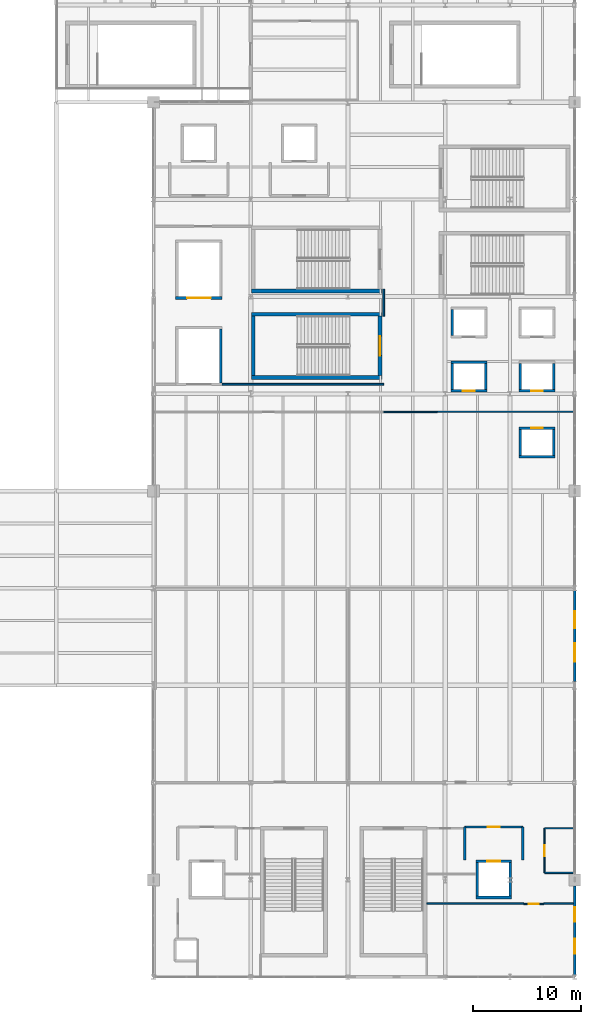
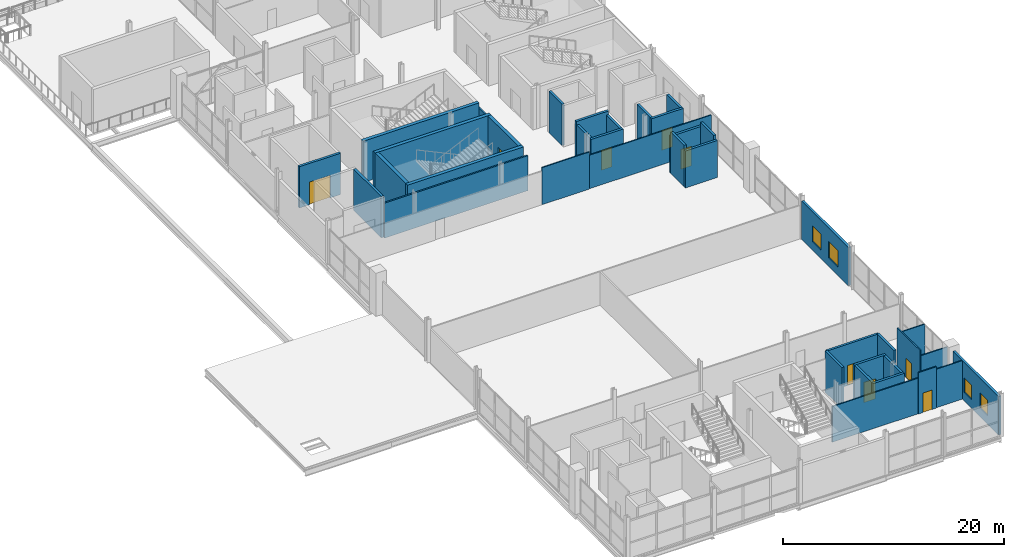
# One storey, part 40 of 50: 38 walls, 9 doors, 4 windows, 13 openings.
"""IFC4 building model written with IfcOpenShell, lengths in metres."""

from ifc_helpers import new_model, si_unit, direction, frame, frame_2d, origin, place, context, subcontext, project, spatial, rectangle, extrude, material, layer, layer_set, type_object, element, fill, save


model = new_model("IFC4")

# Units and contexts
model_context = context("Model", 3, precision=1e-05, world=origin(), true_north=direction((0.0, 1.0)))
body_context = subcontext(model_context, "Body", "Model", "MODEL_VIEW")
ifc_project = project(units=[si_unit("LENGTHUNIT", "METRE"), si_unit("AREAUNIT", "SQUARE_METRE"), si_unit("VOLUMEUNIT", "CUBIC_METRE"), si_unit("PLANEANGLEUNIT", "RADIAN"), si_unit("MASSUNIT", "GRAM", prefix="KILO")], contexts=[model_context])

# Site, building, storey
site_placement = place(None, origin())
site = spatial("IfcSite", under=ifc_project, at=site_placement, CompositionType="ELEMENT")
building_placement = place(site_placement, origin())
building = spatial("IfcBuilding", under=site, at=building_placement, Name="Qamarlyn Nura Convention Centre", CompositionType="ELEMENT")
storey_placement = place(building_placement, frame((0.0, 0.0, 20.39990234375)))
storey = spatial("IfcBuildingStorey", under=building, at=storey_placement, Name="L04", CompositionType="ELEMENT", Elevation=20.39990234375)

# Wall, opening, door
ifc_material_1 = material(Name="Fire-rated acoustic gypsum board and mineral wool EI 120")
ifc_layer_1 = layer(ifc_material_1, 0.219970703125, Name="WT-COMP-220")
ifc_layer_set_1 = layer_set([ifc_layer_1], Name="Fire-rated acoustic gypsum board and mineral wool EI 120")
wall_type_1 = type_object("IfcWallType", Name="WT-COMP-220", PredefinedType="SOLIDWALL", material=ifc_layer_set_1)
wall_1_placement = place(storey_placement, frame((181.800048828125, 13.89990234375, 0.0), z_axis=(0.0, 0.0, 1.0), x_axis=(1.0, 0.0, 0.0)))
wall_1 = element("IfcWall", 1, at=wall_1_placement, inside=storey, type_object=wall_type_1, Name="L04 firefighting lobby barrier wall FFL-02-OPP", PredefinedType="SOLIDWALL", context=body_context, shape_type="SweptSolid", body=[
    extrude(rectangle(XDim=5.39990234375, YDim=0.219970703125, at=frame_2d((2.699951171875, 0.0))), origin(), (0.0, 0.0, 1.0), 4.56005859375),
])
opening_1_placement = place(wall_1_placement, frame((2.139892578125, 0.0, 0.0)))
opening_1 = element("IfcOpeningElement", 2, at=opening_1_placement, cuts=wall_1, Name="Opening DF-115", PredefinedType="OPENING", context=body_context, shape_type="SweptSolid", body=[
    extrude(rectangle(XDim=1.1201171875, YDim=2.199951171875, at=frame_2d((0.56005859375, 1.10009765625))), frame((0.0, 0.1201171875, 0.0), z_axis=(0.0, -1.0, 0.0), x_axis=(1.0, 0.0, 0.0)), (0.0, 0.0, 1.0), 0.239990234375),
])
ifc_material_2 = material(Name="Galvanised fire-rated hollow steel door", Category="steel")
door_type_1 = type_object("IfcDoorType", Name="DR-FFL-1120", OperationType="NOTDEFINED", PredefinedType="DOOR", material=ifc_material_2)
door_1_placement = place(opening_1_placement, origin())
door_1 = element("IfcDoor", 3, at=door_1_placement, inside=storey, type_object=door_type_1, Name="L04 firefighting lobby door FFL-02 (DF-115)", OperationType="SINGLE_SWING_LEFT", OverallHeight=2.199951171875, OverallWidth=1.1201171875, PredefinedType="DOOR", context=body_context, shape_type="SweptSolid", body=[
    extrude(rectangle(XDim=1.1201171875, YDim=2.199951171875, at=frame_2d((0.56005859375, 1.10009765625))), frame((0.0, 0.02490234375, 0.0), z_axis=(0.0, -1.0, 0.0), x_axis=(1.0, 0.0, 0.0)), (0.0, 0.0, 1.0), 0.050048828125),
])
fill(opening_1, door_1)

# Walls
for number, where, z_axis, x_axis, name in (
    (4, (181.800048828125, 10.85009765625, 0.0), (0.0, 0.0, 1.0), (0.0, 1.0, 0.0), "L04 firefighting lobby barrier wall FFL-02-W"),
    (5, (187.199951171875, 10.85009765625, 0.0), (0.0, 0.0, 1.0), (0.0, 1.0, 0.0), "L04 firefighting lobby barrier wall FFL-02-E"),
):
    element("IfcWall", number, at=place(storey_placement, frame(where, z_axis=z_axis, x_axis=x_axis)), inside=storey, type_object=wall_type_1, Name=name, PredefinedType="SOLIDWALL", context=body_context, shape_type="SweptSolid", body=[
        extrude(rectangle(XDim=3.0498046875, YDim=0.219970703125, at=frame_2d((1.52490234375, 0.0))), origin(), (0.0, 0.0, 1.0), 4.56005859375),
    ])
ifc_material_3 = material(Name="Concrete C50/60", Category="concrete")
ifc_layer_2 = layer(ifc_material_3, 0.35009765625, Name="WT-CORE-350")
ifc_layer_set_2 = layer_set([ifc_layer_2], Name="Concrete C50/60")
wall_type_2 = type_object("IfcWallType", Name="WT-CORE-350", PredefinedType="SHEAR", material=ifc_layer_set_2)
for number, where, z_axis, x_axis, name in (
    (6, (162.050048828125, 55.52490234375, 0.0), (0.0, 0.0, 1.0), (1.0, 0.0, 0.0), "L04 stair core shear wall ST-11-S"),
    (7, (174.14990234375, 61.375, 0.0), (0.0, 0.0, 1.0), (-1.0, 0.0, 0.0), "L04 stair core shear wall ST-11-N"),
):
    element("IfcWall", number, at=place(storey_placement, frame(where, z_axis=z_axis, x_axis=x_axis)), inside=storey, type_object=wall_type_2, Name=name, PredefinedType="SHEAR", context=body_context, shape_type="SweptSolid", body=[
        extrude(rectangle(XDim=12.099853515625, YDim=0.35009765625, at=frame_2d((6.0498046875, 0.0))), origin(), (0.0, 0.0, 1.0), 4.56005859375),
    ])
wall_2_placement = place(storey_placement, frame((162.22509765625, 61.199951171875, 0.0), z_axis=(0.0, 0.0, 1.0), x_axis=(0.0, -1.0, 0.0)))
element("IfcWall", 8, at=wall_2_placement, inside=storey, type_object=wall_type_2, Name="L04 stair core shear wall ST-11-W", PredefinedType="SHEAR", context=body_context, shape_type="SweptSolid", body=[
    extrude(rectangle(XDim=5.5, YDim=0.35009765625, at=frame_2d((2.75, 0.0))), origin(), (0.0, 0.0, 1.0), 4.56005859375),
])

# Wall, opening, door
wall_3_placement = place(storey_placement, frame((173.97509765625, 55.699951171875, 0.0), z_axis=(0.0, 0.0, 1.0), x_axis=(0.0, 1.0, 0.0)))
wall_3 = element("IfcWall", 9, at=wall_3_placement, inside=storey, type_object=wall_type_2, Name="L04 stair core shear wall ST-11-E", PredefinedType="SHEAR", context=body_context, shape_type="SweptSolid", body=[
    extrude(rectangle(XDim=5.5, YDim=0.35009765625, at=frame_2d((2.75, 0.0))), origin(), (0.0, 0.0, 1.0), 4.56005859375),
])
opening_2_placement = place(wall_3_placement, frame((1.85009765625, 0.0, 0.0)))
opening_2 = element("IfcOpeningElement", 10, at=opening_2_placement, cuts=wall_3, Name="Opening DS-048", PredefinedType="OPENING", context=body_context, shape_type="SweptSolid", body=[
    extrude(rectangle(XDim=1.800048828125, YDim=2.199951171875, at=frame_2d((0.89990234375, 1.10009765625))), frame((0.0, 0.18505859375, 0.0), z_axis=(0.0, -1.0, 0.0), x_axis=(1.0, 0.0, 0.0)), (0.0, 0.0, 1.0), 0.3701171875),
])
door_type_2 = type_object("IfcDoorType", Name="DR-STAIR-1800", OperationType="DOUBLE_DOOR_SINGLE_SWING", PredefinedType="DOOR", material=ifc_material_2)
door_2_placement = place(opening_2_placement, origin())
door_2 = element("IfcDoor", 11, at=door_2_placement, inside=storey, type_object=door_type_2, Name="L04 exit stair door ST-11 (DS-048)", OperationType="DOUBLE_DOOR_SINGLE_SWING", OverallHeight=2.199951171875, OverallWidth=1.800048828125, PredefinedType="DOOR", context=body_context, shape_type="SweptSolid", body=[
    extrude(rectangle(XDim=1.800048828125, YDim=2.199951171875, at=frame_2d((0.89990234375, 1.10009765625))), frame((0.0, 0.02490234375, 0.0), z_axis=(0.0, -1.0, 0.0), x_axis=(1.0, 0.0, 0.0)), (0.0, 0.0, 1.0), 0.050048828125),
])
fill(opening_2, door_2)

# Wall
wall_4_placement = place(storey_placement, frame((162.050048828125, 63.52490234375, 0.0), z_axis=(0.0, 0.0, 1.0), x_axis=(1.0, 0.0, 0.0)))
element("IfcWall", 12, at=wall_4_placement, inside=storey, type_object=wall_type_2, Name="L04 stair core shear wall ST-12-S", PredefinedType="SHEAR", context=body_context, shape_type="SweptSolid", body=[
    extrude(rectangle(XDim=12.099853515625, YDim=0.35009765625, at=frame_2d((6.0498046875, 0.0))), origin(), (0.0, 0.0, 1.0), 4.56005859375),
])

# Wall, openings, windows
ifc_material_4 = material(Name="Concrete C40/50", Category="concrete")
ifc_layer_3 = layer(ifc_material_4, 0.260009765625, Name="WT-EXT-260")
ifc_layer_set_3 = layer_set([ifc_layer_3], Name="Concrete C40/50")
wall_type_3 = type_object("IfcWallType", Name="WT-EXT-260", PredefinedType="SOLIDWALL", material=ifc_layer_set_3)
wall_5_placement = place(storey_placement, frame((192.0, 8.449951171875, 0.0), z_axis=(0.0, 0.0, 1.0), x_axis=(0.0, -1.0, 0.0)))
wall_5 = element("IfcWall", 13, at=wall_5_placement, inside=storey, type_object=wall_type_3, Name="L04 exterior facade wall WEXT-L04-1920-84-1920-2", PredefinedType="SOLIDWALL", context=body_context, shape_type="SweptSolid", body=[
    extrude(rectangle(XDim=8.237548828125, YDim=0.260009765625, at=frame_2d((4.11865234375, 0.0))), origin(), (0.0, 0.0, 1.0), 4.2451171875),
])
opening_3_placement = place(wall_5_placement, frame((1.984375, 0.0, 0.949951171875)))
opening_3 = element("IfcOpeningElement", 14, at=opening_3_placement, cuts=wall_5, Name="Opening WN24", PredefinedType="OPENING", context=body_context, shape_type="SweptSolid", body=[
    extrude(rectangle(XDim=1.35009765625, YDim=1.60009765625, at=frame_2d((0.675048828125, 0.800048828125))), frame((0.0, 0.14013671875, 0.0), z_axis=(0.0, -1.0, 0.0), x_axis=(1.0, 0.0, 0.0)), (0.0, 0.0, 1.0), 0.280029296875),
])
opening_4_placement = place(wall_5_placement, frame((4.878173828125, 0.0, 0.949951171875)))
opening_4 = element("IfcOpeningElement", 15, at=opening_4_placement, cuts=wall_5, Name="Opening WN01", PredefinedType="OPENING", context=body_context, shape_type="SweptSolid", body=[
    extrude(rectangle(XDim=1.39990234375, YDim=1.699951171875, at=frame_2d((0.699951171875, 0.85009765625))), frame((0.0, 0.14013671875, 0.0), z_axis=(0.0, -1.0, 0.0), x_axis=(1.0, 0.0, 0.0)), (0.0, 0.0, 1.0), 0.280029296875),
])
ifc_material_5 = material(Name="Double-silver low-E insulated glass", Category="glass")
window_type_1 = type_object("IfcWindowType", Name="WIN-SOL-01", PartitioningType="SINGLE_PANEL", PredefinedType="WINDOW", material=ifc_material_5)
window_1_placement = place(opening_4_placement, origin())
window_1 = element("IfcWindow", 16, at=window_1_placement, inside=storey, type_object=window_type_1, Name="L04 solar-control window 049", OverallHeight=1.699951171875, OverallWidth=1.39990234375, PartitioningType="SINGLE_PANEL", PredefinedType="WINDOW", context=body_context, shape_type="SweptSolid", body=[
    extrude(rectangle(XDim=1.39990234375, YDim=1.699951171875, at=frame_2d((0.699951171875, 0.85009765625))), frame((0.0, 0.030029296875, 0.0), z_axis=(0.0, -1.0, 0.0), x_axis=(1.0, 0.0, 0.0)), (0.0, 0.0, 1.0), 0.06005859375),
])
fill(opening_4, window_1)
window_type_2 = type_object("IfcWindowType", Name="WIN-SOL-24", PartitioningType="SINGLE_PANEL", PredefinedType="WINDOW", material=ifc_material_5)
window_2_placement = place(opening_3_placement, origin())
window_2 = element("IfcWindow", 17, at=window_2_placement, inside=storey, type_object=window_type_2, Name="L04 solar-control window 048", OverallHeight=1.60009765625, OverallWidth=1.35009765625, PartitioningType="SINGLE_PANEL", PredefinedType="WINDOW", context=body_context, shape_type="SweptSolid", body=[
    extrude(rectangle(XDim=1.35009765625, YDim=1.60009765625, at=frame_2d((0.675048828125, 0.800048828125))), frame((0.0, 0.030029296875, 0.0), z_axis=(0.0, -1.0, 0.0), x_axis=(1.0, 0.0, 0.0)), (0.0, 0.0, 1.0), 0.06005859375),
])
fill(opening_3, window_2)

wall_6_placement = place(storey_placement, frame((192.0, 35.78759765625, 0.0), z_axis=(0.0, 0.0, 1.0), x_axis=(0.0, -1.0, 0.0)))
wall_6 = element("IfcWall", 18, at=wall_6_placement, inside=storey, type_object=wall_type_3, Name="L04 exterior facade wall WEXT-L04-1920-358-1920-273", PredefinedType="SOLIDWALL", context=body_context, shape_type="SweptSolid", body=[
    extrude(rectangle(XDim=8.440185546875, YDim=0.260009765625, at=frame_2d((4.22021484375, 0.0))), origin(), (0.0, 0.0, 1.0), 4.2451171875),
])
opening_5_placement = place(wall_6_placement, frame((1.93505859375, 0.0, 0.949951171875)))
opening_5 = element("IfcOpeningElement", 19, at=opening_5_placement, cuts=wall_6, Name="Opening WN02", PredefinedType="OPENING", context=body_context, shape_type="SweptSolid", body=[
    extrude(rectangle(XDim=1.550048828125, YDim=1.75, at=frame_2d((0.77490234375, 0.875))), frame((0.0, 0.14013671875, 0.0), z_axis=(0.0, -1.0, 0.0), x_axis=(1.0, 0.0, 0.0)), (0.0, 0.0, 1.0), 0.280029296875),
])
opening_6_placement = place(wall_6_placement, frame((4.8798828125, 0.0, 0.949951171875)))
opening_6 = element("IfcOpeningElement", 20, at=opening_6_placement, cuts=wall_6, Name="Opening WN03", PredefinedType="OPENING", context=body_context, shape_type="SweptSolid", body=[
    extrude(rectangle(XDim=1.699951171875, YDim=1.800048828125, at=frame_2d((0.85009765625, 0.89990234375))), frame((0.0, 0.14013671875, 0.0), z_axis=(0.0, -1.0, 0.0), x_axis=(1.0, 0.0, 0.0)), (0.0, 0.0, 1.0), 0.280029296875),
])
window_type_3 = type_object("IfcWindowType", Name="WIN-SOL-02", PartitioningType="SINGLE_PANEL", PredefinedType="WINDOW", material=ifc_material_5)
window_3_placement = place(opening_5_placement, origin())
window_3 = element("IfcWindow", 21, at=window_3_placement, inside=storey, type_object=window_type_3, Name="L04 solar-control window 050", OverallHeight=1.75, OverallWidth=1.550048828125, PartitioningType="SINGLE_PANEL", PredefinedType="WINDOW", context=body_context, shape_type="SweptSolid", body=[
    extrude(rectangle(XDim=1.550048828125, YDim=1.75, at=frame_2d((0.77490234375, 0.875))), frame((0.0, 0.030029296875, 0.0), z_axis=(0.0, -1.0, 0.0), x_axis=(1.0, 0.0, 0.0)), (0.0, 0.0, 1.0), 0.06005859375),
])
fill(opening_5, window_3)
window_type_4 = type_object("IfcWindowType", Name="WIN-SOL-03", PartitioningType="SINGLE_PANEL", PredefinedType="WINDOW", material=ifc_material_5)
window_4_placement = place(opening_6_placement, origin())
window_4 = element("IfcWindow", 22, at=window_4_placement, inside=storey, type_object=window_type_4, Name="L04 solar-control window 051", OverallHeight=1.800048828125, OverallWidth=1.699951171875, PartitioningType="SINGLE_PANEL", PredefinedType="WINDOW", context=body_context, shape_type="SweptSolid", body=[
    extrude(rectangle(XDim=1.699951171875, YDim=1.800048828125, at=frame_2d((0.85009765625, 0.89990234375))), frame((0.0, 0.030029296875, 0.0), z_axis=(0.0, -1.0, 0.0), x_axis=(1.0, 0.0, 0.0)), (0.0, 0.0, 1.0), 0.06005859375),
])
fill(opening_6, window_4)

# Walls
ifc_material_6 = material(Name="Acoustic double-stud gypsum partition")
ifc_layer_4 = layer(ifc_material_6, 0.1201171875, Name="WT-PART-120")
ifc_layer_set_4 = layer_set([ifc_layer_4], Name="Acoustic double-stud gypsum partition")
wall_type_4 = type_object("IfcWallType", Name="WT-PART-120", PredefinedType="PARTITIONING", material=ifc_layer_set_4)
for number, where, z_axis, x_axis, name in (
    (23, (189.199951171875, 13.77490234375, 0.0), (0.0, 0.0, 1.0), (1.0, 0.0, 0.0), "L04 interior partition L04-WC-A-L04-1-1"),
    (24, (191.988037109375, 9.64990234375, 0.0), (0.0, 0.0, 1.0), (-1.0, 0.0, 0.0), "L04 interior partition L04-WC-A-L04-3-1"),
):
    element("IfcWall", number, at=place(storey_placement, frame(where, z_axis=z_axis, x_axis=x_axis)), inside=storey, type_object=wall_type_4, Name=name, PredefinedType="PARTITIONING", context=body_context, shape_type="SweptSolid", body=[
        extrude(rectangle(XDim=2.7880859375, YDim=0.1201171875, at=frame_2d((1.39404296875, 0.0))), origin(), (0.0, 0.0, 1.0), 4.006103515625),
    ])

# Wall, opening, door
wall_7_placement = place(storey_placement, frame((189.199951171875, 9.64990234375, 0.0), z_axis=(0.0, 0.0, 1.0), x_axis=(0.0, 1.0, 0.0)))
wall_7 = element("IfcWall", 25, at=wall_7_placement, inside=storey, type_object=wall_type_4, Name="L04 interior partition L04-WC-A-L04-4-1", PredefinedType="PARTITIONING", context=body_context, shape_type="SweptSolid", body=[
    extrude(rectangle(XDim=4.125, YDim=0.1201171875, at=frame_2d((2.0625, 0.0))), origin(), (0.0, 0.0, 1.0), 4.56005859375),
])
opening_7_placement = place(wall_7_placement, frame((1.552490234375, 0.0, 0.0)))
opening_7 = element("IfcOpeningElement", 26, at=opening_7_placement, cuts=wall_7, Name="Opening D-L04-206", PredefinedType="OPENING", context=body_context, shape_type="SweptSolid", body=[
    extrude(rectangle(XDim=1.02001953125, YDim=2.159912109375, at=frame_2d((0.510009765625, 1.080078125))), frame((0.0, 0.070068359375, 0.0), z_axis=(0.0, -1.0, 0.0), x_axis=(1.0, 0.0, 0.0)), (0.0, 0.0, 1.0), 0.14013671875),
])
ifc_material_7 = material(Name="Acoustic walnut timber leaf", Category="wood")
door_type_3 = type_object("IfcDoorType", Name="DR-WC-ACC-102", OperationType="NOTDEFINED", PredefinedType="DOOR", material=ifc_material_7)
door_3_placement = place(opening_7_placement, origin())
door_3 = element("IfcDoor", 27, at=door_3_placement, inside=storey, type_object=door_type_3, Name="L04 Accessible WC L04 door D-L04-206", OperationType="SINGLE_SWING_RIGHT", OverallHeight=2.159912109375, OverallWidth=1.02001953125, PredefinedType="DOOR", context=body_context, shape_type="SweptSolid", body=[
    extrude(rectangle(XDim=1.02001953125, YDim=2.159912109375, at=frame_2d((0.510009765625, 1.080078125))), frame((0.0, 0.02490234375, 0.0), z_axis=(0.0, -1.0, 0.0), x_axis=(1.0, 0.0, 0.0)), (0.0, 0.0, 1.0), 0.050048828125),
])
fill(opening_7, door_3)

# Wall
wall_8_placement = place(storey_placement, frame((178.300048828125, 6.800048828125, 0.0), z_axis=(0.0, 0.0, 1.0), x_axis=(1.0, 0.0, 0.0)))
element("IfcWall", 28, at=wall_8_placement, inside=storey, type_object=wall_type_4, Name="L04 interior partition L04-BRD-402-5-1", PredefinedType="PARTITIONING", context=body_context, shape_type="SweptSolid", body=[
    extrude(rectangle(XDim=8.969970703125, YDim=0.1201171875, at=frame_2d((4.48486328125, 0.0))), origin(), (0.0, 0.0, 1.0), 3.93408203125),
])

# Wall, opening, door
wall_9_placement = place(storey_placement, frame((187.27001953125, 6.760009765625, 0.0), z_axis=(0.0, 0.0, 1.0), x_axis=(1.0, 0.0, 0.0)))
wall_9 = element("IfcWall", 29, at=wall_9_placement, inside=storey, type_object=wall_type_4, Name="L04 interior partition L04-BRD-402-22-1", PredefinedType="PARTITIONING", context=body_context, shape_type="SweptSolid", body=[
    extrude(rectangle(XDim=1.8798828125, YDim=0.1201171875, at=frame_2d((0.93994140625, 0.0))), origin(), (0.0, 0.0, 1.0), 4.56005859375),
])
opening_8_placement = place(wall_9_placement, frame((0.4599609375, 0.0, 0.0)))
opening_8 = element("IfcOpeningElement", 30, at=opening_8_placement, cuts=wall_9, Name="Opening D-L04-209", PredefinedType="OPENING", context=body_context, shape_type="SweptSolid", body=[
    extrude(rectangle(XDim=0.9599609375, YDim=2.14990234375, at=frame_2d((0.47998046875, 1.074951171875))), frame((0.0, 0.070068359375, 0.0), z_axis=(0.0, -1.0, 0.0), x_axis=(1.0, 0.0, 0.0)), (0.0, 0.0, 1.0), 0.14013671875),
])
door_type_4 = type_object("IfcDoorType", Name="DR-ROOM-0960", OperationType="NOTDEFINED", PredefinedType="DOOR", material=ifc_material_7)
door_4_placement = place(opening_8_placement, origin())
door_4 = element("IfcDoor", 31, at=door_4_placement, inside=storey, type_object=door_type_4, Name="L04 Executive Boardroom 402 door D-L04-209", OperationType="SINGLE_SWING_LEFT", OverallHeight=2.14990234375, OverallWidth=0.9599609375, PredefinedType="DOOR", context=body_context, shape_type="SweptSolid", body=[
    extrude(rectangle(XDim=0.9599609375, YDim=2.14990234375, at=frame_2d((0.47998046875, 1.074951171875))), frame((0.0, 0.02490234375, 0.0), z_axis=(0.0, -1.0, 0.0), x_axis=(1.0, 0.0, 0.0)), (0.0, 0.0, 1.0), 0.050048828125),
])
fill(opening_8, door_4)

# Walls
wall_10_placement = place(storey_placement, frame((189.14990234375, 6.800048828125, 0.0), z_axis=(0.0, 0.0, 1.0), x_axis=(1.0, 0.0, 0.0)))
element("IfcWall", 32, at=wall_10_placement, inside=storey, type_object=wall_type_4, Name="L04 interior partition L04-BRD-402-39-1", PredefinedType="PARTITIONING", context=body_context, shape_type="SweptSolid", body=[
    extrude(rectangle(XDim=2.72021484375, YDim=0.1201171875, at=frame_2d((1.360107421875, 0.0))), origin(), (0.0, 0.0, 1.0), 4.2451171875),
])
wall_11_placement = place(storey_placement, frame((174.31005859375, 52.31005859375, 0.0), z_axis=(0.0, 0.0, 1.0), x_axis=(1.0, 0.0, 0.0)))
element("IfcWall", 33, at=wall_11_placement, inside=storey, type_object=wall_type_4, Name="L04 interior partition L04-PRS-STUD-14-1", PredefinedType="PARTITIONING", context=body_context, shape_type="SweptSolid", body=[
    extrude(rectangle(XDim=4.93994140625, YDim=0.1201171875, at=frame_2d((2.469970703125, 0.0))), origin(), (0.0, 0.0, 1.0), 4.088134765625),
])
wall_12_placement = place(storey_placement, frame((179.25, 52.35009765625, 0.0), z_axis=(0.0, 0.0, 1.0), x_axis=(1.0, 0.0, 0.0)))
element("IfcWall", 34, at=wall_12_placement, inside=storey, type_object=wall_type_4, Name="L04 interior partition L04-PRS-STUD-31-1", PredefinedType="PARTITIONING", context=body_context, shape_type="SweptSolid", body=[
    extrude(rectangle(XDim=12.738037109375, YDim=0.1201171875, at=frame_2d((6.369140625, 0.0))), origin(), (0.0, 0.0, 1.0), 3.690185546875),
])
ifc_material_8 = material(Name="Fire-rated acoustic gypsum board EI 60")
ifc_layer_5 = layer(ifc_material_8, 0.159912109375, Name="WT-PART-160")
ifc_layer_set_5 = layer_set([ifc_layer_5], Name="Fire-rated acoustic gypsum board EI 60")
wall_type_5 = type_object("IfcWallType", Name="WT-PART-160", PredefinedType="PARTITIONING", material=ifc_layer_set_5)
wall_13_placement = place(storey_placement, frame((174.31005859375, 63.699951171875, 0.0), z_axis=(0.0, 0.0, 1.0), x_axis=(0.0, -1.0, 0.0)))
element("IfcWall", 35, at=wall_13_placement, inside=storey, type_object=wall_type_5, Name="L04 interior partition L04-PAN-EXEC-60-2", PredefinedType="PARTITIONING", context=body_context, shape_type="SweptSolid", body=[
    extrude(rectangle(XDim=2.5, YDim=0.159912109375, at=frame_2d((1.25, 0.0))), origin(), (0.0, 0.0, 1.0), 3.85009765625),
])
wall_14_placement = place(storey_placement, frame((174.31005859375, 54.889892578125, 0.0), z_axis=(0.0, 0.0, 1.0), x_axis=(-1.0, 0.0, 0.0)))
element("IfcWall", 36, at=wall_14_placement, inside=storey, type_object=wall_type_5, Name="L04 interior partition L04-PAN-EXEC-61-1", PredefinedType="PARTITIONING", context=body_context, shape_type="SweptSolid", body=[
    extrude(rectangle(XDim=14.9599609375, YDim=0.159912109375, at=frame_2d((7.47998046875, 0.0))), origin(), (0.0, 0.0, 1.0), 3.861083984375),
])
ifc_layer_6 = layer(ifc_material_1, 0.25, Name="WT-SHAFT-250")
ifc_layer_set_6 = layer_set([ifc_layer_6], Name="Fire-rated acoustic gypsum board and mineral wool EI 120")
wall_type_6 = type_object("IfcWallType", Name="WT-SHAFT-250", PredefinedType="SOLIDWALL", material=ifc_layer_set_6)
wall_15_placement = place(storey_placement, frame((182.85009765625, 7.375, 0.0), z_axis=(0.0, 0.0, 1.0), x_axis=(1.0, 0.0, 0.0)))
element("IfcWall", 37, at=wall_15_placement, inside=storey, type_object=wall_type_6, Name="L04 lift shaft enclosure wall FFL-02 -y", PredefinedType="SOLIDWALL", context=body_context, shape_type="SweptSolid", body=[
    extrude(rectangle(XDim=3.2998046875, YDim=0.25, at=frame_2d((1.64990234375, 0.0))), origin(), (0.0, 0.0, 1.0), 4.56005859375),
])

# Wall, opening, door
wall_16_placement = place(storey_placement, frame((186.14990234375, 10.72509765625, 0.0), z_axis=(0.0, 0.0, 1.0), x_axis=(-1.0, 0.0, 0.0)))
wall_16 = element("IfcWall", 38, at=wall_16_placement, inside=storey, type_object=wall_type_6, Name="L04 lift shaft enclosure wall FFL-02 +y", PredefinedType="SOLIDWALL", context=body_context, shape_type="SweptSolid", body=[
    extrude(rectangle(XDim=3.2998046875, YDim=0.25, at=frame_2d((1.64990234375, 0.0))), origin(), (0.0, 0.0, 1.0), 4.56005859375),
])
opening_9_placement = place(wall_16_placement, frame((1.050048828125, 0.0, 0.0)))
opening_9 = element("IfcOpeningElement", 39, at=opening_9_placement, cuts=wall_16, Name="Opening LD-FFL-02-L04", PredefinedType="OPENING", context=body_context, shape_type="SweptSolid", body=[
    extrude(rectangle(XDim=1.199951171875, YDim=2.25, at=frame_2d((0.60009765625, 1.125))), frame((0.0, 0.135009765625, 0.0), z_axis=(0.0, -1.0, 0.0), x_axis=(1.0, 0.0, 0.0)), (0.0, 0.0, 1.0), 0.27001953125),
])
ifc_material_9 = material(Name="Marine Grade 316 stainless steel", Category="steel")
door_type_5 = type_object("IfcDoorType", Name="DR-LD-FFL", OperationType="DOUBLE_DOOR_SLIDING", PredefinedType="DOOR", material=ifc_material_9)
door_5_placement = place(opening_9_placement, origin())
door_5 = element("IfcDoor", 40, at=door_5_placement, inside=storey, type_object=door_type_5, Name="Lift landing door LD-FFL-02-L04", OperationType="DOUBLE_DOOR_SLIDING", OverallHeight=2.25, OverallWidth=1.199951171875, PredefinedType="DOOR", context=body_context, shape_type="SweptSolid", body=[
    extrude(rectangle(XDim=1.199951171875, YDim=2.25, at=frame_2d((0.60009765625, 1.125))), frame((0.0, 0.02490234375, 0.0), z_axis=(0.0, -1.0, 0.0), x_axis=(1.0, 0.0, 0.0)), (0.0, 0.0, 1.0), 0.050048828125),
])
fill(opening_9, door_5)

# Walls
for number, where, z_axis, x_axis, name in (
    (41, (182.97509765625, 10.60009765625, 0.0), (0.0, 0.0, 1.0), (0.0, -1.0, 0.0), "L04 lift shaft enclosure wall FFL-02 -x"),
    (42, (186.02490234375, 7.5, 0.0), (0.0, 0.0, 1.0), (0.0, 1.0, 0.0), "L04 lift shaft enclosure wall FFL-02 +x"),
):
    element("IfcWall", number, at=place(storey_placement, frame(where, z_axis=z_axis, x_axis=x_axis)), inside=storey, type_object=wall_type_6, Name=name, PredefinedType="SOLIDWALL", context=body_context, shape_type="SweptSolid", body=[
        extrude(rectangle(XDim=3.10009765625, YDim=0.25, at=frame_2d((1.550048828125, 0.0))), origin(), (0.0, 0.0, 1.0), 4.56005859375),
    ])
wall_17_placement = place(storey_placement, frame((180.64990234375, 61.800048828125, 0.0), z_axis=(0.0, 0.0, 1.0), x_axis=(0.0, -1.0, 0.0)))
element("IfcWall", 43, at=wall_17_placement, inside=storey, type_object=wall_type_6, Name="L04 lift shaft enclosure wall PL-01 -x", PredefinedType="SOLIDWALL", context=body_context, shape_type="SweptSolid", body=[
    extrude(rectangle(XDim=2.400146484375, YDim=0.25, at=frame_2d((1.2001953125, 0.0))), origin(), (0.0, 0.0, 1.0), 4.56005859375),
])

# Wall, opening, door
wall_18_placement = place(storey_placement, frame((180.52490234375, 54.27490234375, 0.0), z_axis=(0.0, 0.0, 1.0), x_axis=(1.0, 0.0, 0.0)))
wall_18 = element("IfcWall", 44, at=wall_18_placement, inside=storey, type_object=wall_type_6, Name="L04 lift shaft enclosure wall PL-03 -y", PredefinedType="SOLIDWALL", context=body_context, shape_type="SweptSolid", body=[
    extrude(rectangle(XDim=3.35009765625, YDim=0.25, at=frame_2d((1.675048828125, 0.0))), origin(), (0.0, 0.0, 1.0), 3.861083984375),
])
opening_10_placement = place(wall_18_placement, frame((1.125, 0.0, 0.0)))
opening_10 = element("IfcOpeningElement", 45, at=opening_10_placement, cuts=wall_18, Name="Opening LD-PL-03-L04", PredefinedType="OPENING", context=body_context, shape_type="SweptSolid", body=[
    extrude(rectangle(XDim=1.10009765625, YDim=2.199951171875, at=frame_2d((0.550048828125, 1.10009765625))), frame((0.0, 0.135009765625, 0.0), z_axis=(0.0, -1.0, 0.0), x_axis=(1.0, 0.0, 0.0)), (0.0, 0.0, 1.0), 0.27001953125),
])
door_type_6 = type_object("IfcDoorType", Name="DR-LD-PAX", OperationType="DOUBLE_DOOR_SLIDING", PredefinedType="DOOR", material=ifc_material_9)
door_6_placement = place(opening_10_placement, origin())
door_6 = element("IfcDoor", 46, at=door_6_placement, inside=storey, type_object=door_type_6, Name="Lift landing door LD-PL-03-L04", OperationType="DOUBLE_DOOR_SLIDING", OverallHeight=2.199951171875, OverallWidth=1.10009765625, PredefinedType="DOOR", context=body_context, shape_type="SweptSolid", body=[
    extrude(rectangle(XDim=1.10009765625, YDim=2.199951171875, at=frame_2d((0.550048828125, 1.10009765625))), frame((0.0, 0.02490234375, 0.0), z_axis=(0.0, -1.0, 0.0), x_axis=(1.0, 0.0, 0.0)), (0.0, 0.0, 1.0), 0.050048828125),
])
fill(opening_10, door_6)

# Walls
wall_19_placement = place(storey_placement, frame((183.875, 56.925048828125, 0.0), z_axis=(0.0, 0.0, 1.0), x_axis=(-1.0, 0.0, 0.0)))
element("IfcWall", 47, at=wall_19_placement, inside=storey, type_object=wall_type_6, Name="L04 lift shaft enclosure wall PL-03 +y", PredefinedType="SOLIDWALL", context=body_context, shape_type="SweptSolid", body=[
    extrude(rectangle(XDim=3.35009765625, YDim=0.25, at=frame_2d((1.675048828125, 0.0))), origin(), (0.0, 0.0, 1.0), 4.237060546875),
])
for number, where, z_axis, x_axis, name in (
    (48, (180.64990234375, 56.800048828125, 0.0), (0.0, 0.0, 1.0), (0.0, -1.0, 0.0), "L04 lift shaft enclosure wall PL-03 -x"),
    (49, (183.75, 54.39990234375, 0.0), (0.0, 0.0, 1.0), (0.0, 1.0, 0.0), "L04 lift shaft enclosure wall PL-03 +x"),
):
    element("IfcWall", number, at=place(storey_placement, frame(where, z_axis=z_axis, x_axis=x_axis)), inside=storey, type_object=wall_type_6, Name=name, PredefinedType="SOLIDWALL", context=body_context, shape_type="SweptSolid", body=[
        extrude(rectangle(XDim=2.400146484375, YDim=0.25, at=frame_2d((1.2001953125, 0.0))), origin(), (0.0, 0.0, 1.0), 3.861083984375),
    ])

# Wall, opening, door
wall_20_placement = place(storey_placement, frame((186.824951171875, 54.27490234375, 0.0), z_axis=(0.0, 0.0, 1.0), x_axis=(1.0, 0.0, 0.0)))
wall_20 = element("IfcWall", 50, at=wall_20_placement, inside=storey, type_object=wall_type_6, Name="L04 lift shaft enclosure wall PL-04 -y", PredefinedType="SOLIDWALL", context=body_context, shape_type="SweptSolid", body=[
    extrude(rectangle(XDim=3.35009765625, YDim=0.25, at=frame_2d((1.675048828125, 0.0))), origin(), (0.0, 0.0, 1.0), 3.93408203125),
])
opening_11_placement = place(wall_20_placement, frame((1.125, 0.0, 0.0)))
opening_11 = element("IfcOpeningElement", 51, at=opening_11_placement, cuts=wall_20, Name="Opening LD-PL-04-L04", PredefinedType="OPENING", context=body_context, shape_type="SweptSolid", body=[
    extrude(rectangle(XDim=1.10009765625, YDim=2.199951171875, at=frame_2d((0.550048828125, 1.10009765625))), frame((0.0, 0.135009765625, 0.0), z_axis=(0.0, -1.0, 0.0), x_axis=(1.0, 0.0, 0.0)), (0.0, 0.0, 1.0), 0.27001953125),
])
door_7_placement = place(opening_11_placement, origin())
door_7 = element("IfcDoor", 52, at=door_7_placement, inside=storey, type_object=door_type_6, Name="Lift landing door LD-PL-04-L04", OperationType="DOUBLE_DOOR_SLIDING", OverallHeight=2.199951171875, OverallWidth=1.10009765625, PredefinedType="DOOR", context=body_context, shape_type="SweptSolid", body=[
    extrude(rectangle(XDim=1.10009765625, YDim=2.199951171875, at=frame_2d((0.550048828125, 1.10009765625))), frame((0.0, 0.02490234375, 0.0), z_axis=(0.0, -1.0, 0.0), x_axis=(1.0, 0.0, 0.0)), (0.0, 0.0, 1.0), 0.050048828125),
])
fill(opening_11, door_7)

# Walls
for number, where, z_axis, x_axis, name in (
    (53, (186.949951171875, 56.800048828125, 0.0), (0.0, 0.0, 1.0), (0.0, -1.0, 0.0), "L04 lift shaft enclosure wall PL-04 -x"),
    (54, (190.050048828125, 54.39990234375, 0.0), (0.0, 0.0, 1.0), (0.0, 1.0, 0.0), "L04 lift shaft enclosure wall PL-04 +x"),
):
    element("IfcWall", number, at=place(storey_placement, frame(where, z_axis=z_axis, x_axis=x_axis)), inside=storey, type_object=wall_type_6, Name=name, PredefinedType="SOLIDWALL", context=body_context, shape_type="SweptSolid", body=[
        extrude(rectangle(XDim=2.400146484375, YDim=0.25, at=frame_2d((1.2001953125, 0.0))), origin(), (0.0, 0.0, 1.0), 3.93408203125),
    ])
wall_21_placement = place(storey_placement, frame((186.824951171875, 48.175048828125, 0.0), z_axis=(0.0, 0.0, 1.0), x_axis=(1.0, 0.0, 0.0)))
element("IfcWall", 55, at=wall_21_placement, inside=storey, type_object=wall_type_6, Name="L04 lift shaft enclosure wall PL-05 -y", PredefinedType="SOLIDWALL", context=body_context, shape_type="SweptSolid", body=[
    extrude(rectangle(XDim=3.35009765625, YDim=0.25, at=frame_2d((1.675048828125, 0.0))), origin(), (0.0, 0.0, 1.0), 4.088134765625),
])

# Wall, opening, door
wall_22_placement = place(storey_placement, frame((190.175048828125, 50.824951171875, 0.0), z_axis=(0.0, 0.0, 1.0), x_axis=(-1.0, 0.0, 0.0)))
wall_22 = element("IfcWall", 56, at=wall_22_placement, inside=storey, type_object=wall_type_6, Name="L04 lift shaft enclosure wall PL-05 +y", PredefinedType="SOLIDWALL", context=body_context, shape_type="SweptSolid", body=[
    extrude(rectangle(XDim=3.35009765625, YDim=0.25, at=frame_2d((1.675048828125, 0.0))), origin(), (0.0, 0.0, 1.0), 4.088134765625),
])
opening_12_placement = place(wall_22_placement, frame((1.125, 0.0, 0.0)))
opening_12 = element("IfcOpeningElement", 57, at=opening_12_placement, cuts=wall_22, Name="Opening LD-PL-05-L04", PredefinedType="OPENING", context=body_context, shape_type="SweptSolid", body=[
    extrude(rectangle(XDim=1.10009765625, YDim=2.199951171875, at=frame_2d((0.550048828125, 1.10009765625))), frame((0.0, 0.135009765625, 0.0), z_axis=(0.0, -1.0, 0.0), x_axis=(1.0, 0.0, 0.0)), (0.0, 0.0, 1.0), 0.27001953125),
])
door_8_placement = place(opening_12_placement, origin())
door_8 = element("IfcDoor", 58, at=door_8_placement, inside=storey, type_object=door_type_6, Name="Lift landing door LD-PL-05-L04", OperationType="DOUBLE_DOOR_SLIDING", OverallHeight=2.199951171875, OverallWidth=1.10009765625, PredefinedType="DOOR", context=body_context, shape_type="SweptSolid", body=[
    extrude(rectangle(XDim=1.10009765625, YDim=2.199951171875, at=frame_2d((0.550048828125, 1.10009765625))), frame((0.0, 0.02490234375, 0.0), z_axis=(0.0, -1.0, 0.0), x_axis=(1.0, 0.0, 0.0)), (0.0, 0.0, 1.0), 0.050048828125),
])
fill(opening_12, door_8)

# Walls
for number, where, z_axis, x_axis, name in (
    (59, (186.949951171875, 50.699951171875, 0.0), (0.0, 0.0, 1.0), (0.0, -1.0, 0.0), "L04 lift shaft enclosure wall PL-05 -x"),
    (60, (190.050048828125, 48.300048828125, 0.0), (0.0, 0.0, 1.0), (0.0, 1.0, 0.0), "L04 lift shaft enclosure wall PL-05 +x"),
):
    element("IfcWall", number, at=place(storey_placement, frame(where, z_axis=z_axis, x_axis=x_axis)), inside=storey, type_object=wall_type_6, Name=name, PredefinedType="SOLIDWALL", context=body_context, shape_type="SweptSolid", body=[
        extrude(rectangle(XDim=2.39990234375, YDim=0.25, at=frame_2d((1.199951171875, 0.0))), origin(), (0.0, 0.0, 1.0), 4.56005859375),
    ])
wall_23_placement = place(storey_placement, frame((159.22509765625, 55.0, 0.0), z_axis=(0.0, 0.0, 1.0), x_axis=(0.0, 1.0, 0.0)))
element("IfcWall", 61, at=wall_23_placement, inside=storey, type_object=wall_type_6, Name="L04 lift shaft enclosure wall FL-03 +x", PredefinedType="SOLIDWALL", context=body_context, shape_type="SweptSolid", body=[
    extrude(rectangle(XDim=5.0, YDim=0.25, at=frame_2d((2.5, 0.0))), origin(), (0.0, 0.0, 1.0), 4.56005859375),
])

# Wall, opening, door
wall_24_placement = place(storey_placement, frame((155.050048828125, 62.875, 0.0), z_axis=(0.0, 0.0, 1.0), x_axis=(1.0, 0.0, 0.0)))
wall_24 = element("IfcWall", 62, at=wall_24_placement, inside=storey, type_object=wall_type_6, Name="L04 lift shaft enclosure wall FL-04 -y", PredefinedType="SOLIDWALL", context=body_context, shape_type="SweptSolid", body=[
    extrude(rectangle(XDim=4.300048828125, YDim=0.25, at=frame_2d((2.14990234375, 0.0))), origin(), (0.0, 0.0, 1.0), 4.56005859375),
])
opening_13_placement = place(wall_24_placement, frame((1.050048828125, 0.0, 0.0)))
opening_13 = element("IfcOpeningElement", 63, at=opening_13_placement, cuts=wall_24, Name="Opening LD-FL-04-L04", PredefinedType="OPENING", context=body_context, shape_type="SweptSolid", body=[
    extrude(rectangle(XDim=2.199951171875, YDim=2.5, at=frame_2d((1.10009765625, 1.25))), frame((0.0, 0.135009765625, 0.0), z_axis=(0.0, -1.0, 0.0), x_axis=(1.0, 0.0, 0.0)), (0.0, 0.0, 1.0), 0.27001953125),
])
door_type_7 = type_object("IfcDoorType", Name="DR-LD-FRT", OperationType="DOUBLE_DOOR_SLIDING", PredefinedType="DOOR", material=ifc_material_2)
door_9_placement = place(opening_13_placement, origin())
door_9 = element("IfcDoor", 64, at=door_9_placement, inside=storey, type_object=door_type_7, Name="Lift landing door LD-FL-04-L04", OperationType="DOUBLE_DOOR_SLIDING", OverallHeight=2.5, OverallWidth=2.199951171875, PredefinedType="DOOR", context=body_context, shape_type="SweptSolid", body=[
    extrude(rectangle(XDim=2.199951171875, YDim=2.5, at=frame_2d((1.10009765625, 1.25))), frame((0.0, 0.02490234375, 0.0), z_axis=(0.0, -1.0, 0.0), x_axis=(1.0, 0.0, 0.0)), (0.0, 0.0, 1.0), 0.050048828125),
])
fill(opening_13, door_9)

save(model, "model.ifc")
